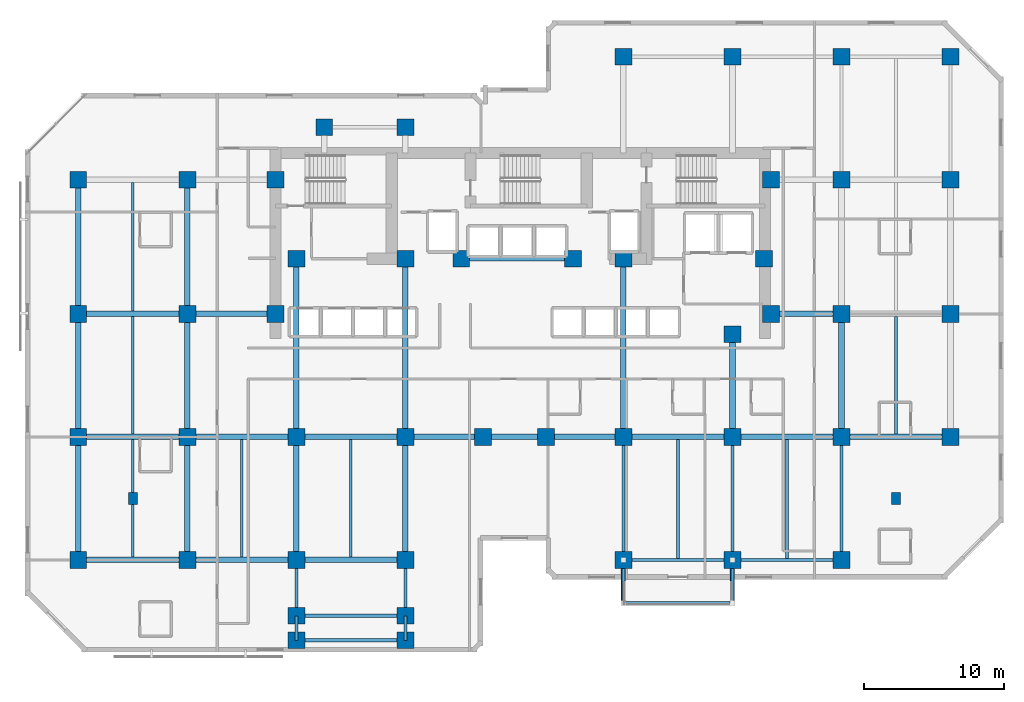
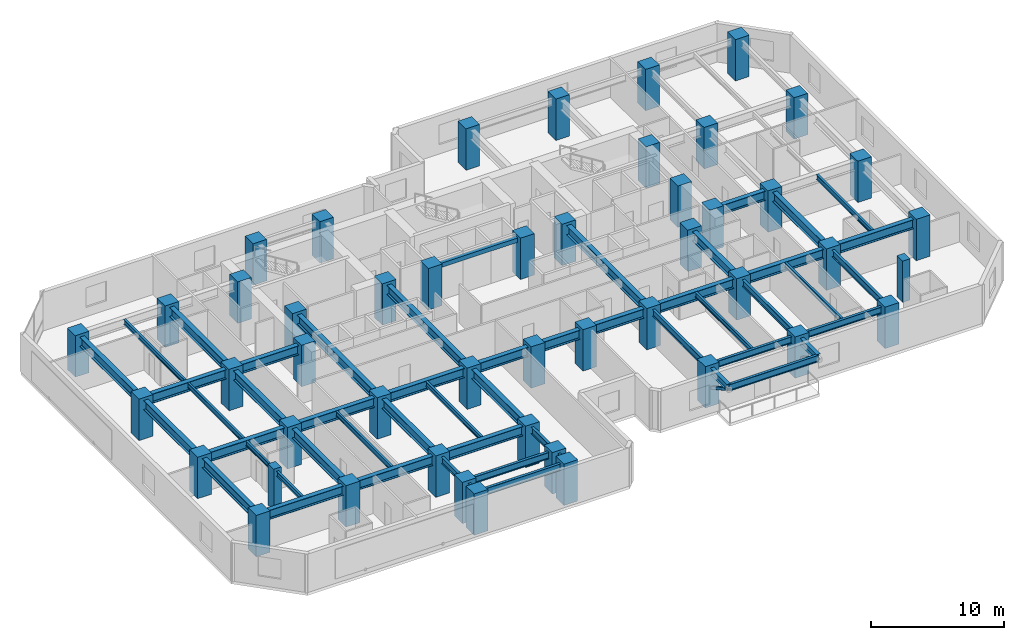
# One storey, part 1 of 12: 51 beams, 48 columns, 2 members.
"""IFC4 building model written with IfcOpenShell, lengths in metres."""

from ifc_helpers import new_model, si_unit, direction, frame, origin, origin_2d, place, context, subcontext, project, spatial, rectangle, hollow_rectangle, i_section, extrude, material, material_profile, profile_set, type_object, element, save


model = new_model("IFC4")

# Units and contexts
model_context = context("Model", 3, precision=1e-05, world=origin(), true_north=direction((0.0, 1.0)))
body_context = subcontext(model_context, "Body", "Model", "MODEL_VIEW")
ifc_project = project(units=[si_unit("LENGTHUNIT", "METRE"), si_unit("AREAUNIT", "SQUARE_METRE"), si_unit("VOLUMEUNIT", "CUBIC_METRE"), si_unit("PLANEANGLEUNIT", "RADIAN"), si_unit("MASSUNIT", "GRAM", prefix="KILO")], contexts=[model_context])

# Site, building, storey
site_placement = place(None, origin())
site = spatial("IfcSite", under=ifc_project, at=site_placement, CompositionType="ELEMENT")
building_placement = place(site_placement, origin())
building = spatial("IfcBuilding", under=site, at=building_placement, Name="Kestravale Grand Hotel", CompositionType="ELEMENT")
storey_placement = place(building_placement, frame((0.0, 0.0, 110.800048828125)))
storey = spatial("IfcBuildingStorey", under=building, at=storey_placement, Name="L27", CompositionType="ELEMENT", Elevation=110.800048828125)

# Columns
ifc_material_1 = material(Name="Precast concrete f'c 45 MPa", Category="concrete")
ifc_material_profile_1 = material_profile(ifc_material_1, rectangle(XDim=0.64990234375, YDim=0.85009765625, at=origin_2d()))
ifc_profile_set_1 = profile_set([ifc_material_profile_1], Name="Precast concrete f'c 45 MPa")
column_type_1 = type_object("IfcColumnType", Name="C-Z1-PIL850", PredefinedType="PILASTER", material=ifc_profile_set_1)
for number, where, z_axis, x_axis, name in (
    (1, (11.699951171875, 15.60009765625, 0.0), (0.0, 0.0, 1.0), (1.0, 0.0, 0.0), "L27 Art Deco fluted pilaster P1"),
    (2, (66.300048828125, 15.60009765625, 0.0), (0.0, 0.0, 1.0), (1.0, 0.0, 0.0), "L27 Art Deco fluted pilaster P2"),
):
    element("IfcColumn", number, at=place(storey_placement, frame(where, z_axis=z_axis, x_axis=x_axis)), inside=storey, type_object=column_type_1, Name=name, PredefinedType="PILASTER", context=body_context, shape_type="SweptSolid", body=[
        extrude(rectangle(XDim=0.64990234375, YDim=0.85009765625, at=origin_2d()), origin(), (0.0, 0.0, 1.0), 3.800048828125),
    ])
ifc_material_2 = material(Name="Concrete f'c 60 MPa", Category="concrete")
ifc_material_profile_2 = material_profile(ifc_material_2, rectangle(XDim=1.199951171875, YDim=1.199951171875, at=origin_2d()))
ifc_profile_set_2 = profile_set([ifc_material_profile_2], Name="Concrete f'c 60 MPa")
column_type_2 = type_object("IfcColumnType", Name="C-Z2-1200", PredefinedType="COLUMN", material=ifc_profile_set_2)
for number, where, z_axis, x_axis, name in (
    (3, (7.800048828125, 11.199951171875, 0.0), (0.0, 0.0, 1.0), (1.0, 0.0, 0.0), "L27 column 2-C"),
    (4, (7.800048828125, 20.0, 0.0), (0.0, 0.0, 1.0), (1.0, 0.0, 0.0), "L27 column 2-D"),
    (5, (7.800048828125, 28.800048828125, 0.0), (0.0, 0.0, 1.0), (1.0, 0.0, 0.0), "L27 column 2-E"),
    (6, (7.800048828125, 38.39990234375, 0.0), (0.0, 0.0, 1.0), (1.0, 0.0, 0.0), "L27 column 2-F"),
    (7, (15.60009765625, 11.199951171875, 0.0), (0.0, 0.0, 1.0), (1.0, 0.0, 0.0), "L27 column 3-C"),
    (8, (15.60009765625, 20.0, 0.0), (0.0, 0.0, 1.0), (1.0, 0.0, 0.0), "L27 column 3-D"),
    (9, (15.60009765625, 28.800048828125, 0.0), (0.0, 0.0, 1.0), (1.0, 0.0, 0.0), "L27 column 3-E"),
    (10, (15.60009765625, 38.39990234375, 0.0), (0.0, 0.0, 1.0), (1.0, 0.0, 0.0), "L27 column 3-F"),
    (11, (23.39990234375, 11.199951171875, 0.0), (0.0, 0.0, 1.0), (1.0, 0.0, 0.0), "L27 column 4-C"),
    (12, (23.39990234375, 20.0, 0.0), (0.0, 0.0, 1.0), (1.0, 0.0, 0.0), "L27 column 4-D"),
    (13, (31.199951171875, 11.199951171875, 0.0), (0.0, 0.0, 1.0), (1.0, 0.0, 0.0), "L27 column 5-C"),
    (14, (31.199951171875, 20.0, 0.0), (0.0, 0.0, 1.0), (1.0, 0.0, 0.0), "L27 column 5-D"),
    (15, (36.75, 20.0, 0.0), (0.0, 0.0, 1.0), (1.0, 0.0, 0.0), "L27 column 6-D"),
    (16, (41.25, 20.0, 0.0), (0.0, 0.0, 1.0), (1.0, 0.0, 0.0), "L27 column 7-D"),
    (17, (46.800048828125, 11.199951171875, 0.0), (0.0, 0.0, 1.0), (1.0, 0.0, 0.0), "L27 column 8-C"),
    (18, (46.800048828125, 20.0, 0.0), (0.0, 0.0, 1.0), (1.0, 0.0, 0.0), "L27 column 8-D"),
    (19, (46.800048828125, 47.199951171875, 0.0), (0.0, 0.0, 1.0), (1.0, 0.0, 0.0), "L27 column 8-G"),
    (20, (54.60009765625, 11.199951171875, 0.0), (0.0, 0.0, 1.0), (1.0, 0.0, 0.0), "L27 column 9-C"),
    (21, (54.60009765625, 20.0, 0.0), (0.0, 0.0, 1.0), (1.0, 0.0, 0.0), "L27 column 9-D"),
    (22, (54.60009765625, 47.199951171875, 0.0), (0.0, 0.0, 1.0), (1.0, 0.0, 0.0), "L27 column 9-G"),
    (23, (62.39990234375, 11.199951171875, 0.0), (0.0, 0.0, 1.0), (1.0, 0.0, 0.0), "L27 column 10-C"),
    (24, (62.39990234375, 20.0, 0.0), (0.0, 0.0, 1.0), (1.0, 0.0, 0.0), "L27 column 10-D"),
    (25, (62.39990234375, 28.800048828125, 0.0), (0.0, 0.0, 1.0), (1.0, 0.0, 0.0), "L27 column 10-E"),
    (26, (62.39990234375, 38.39990234375, 0.0), (0.0, 0.0, 1.0), (1.0, 0.0, 0.0), "L27 column 10-F"),
    (27, (62.39990234375, 47.199951171875, 0.0), (0.0, 0.0, 1.0), (1.0, 0.0, 0.0), "L27 column 10-G"),
    (28, (70.199951171875, 20.0, 0.0), (0.0, 0.0, 1.0), (1.0, 0.0, 0.0), "L27 column 11-D"),
    (29, (70.199951171875, 28.800048828125, 0.0), (0.0, 0.0, 1.0), (1.0, 0.0, 0.0), "L27 column 11-E"),
    (30, (70.199951171875, 38.39990234375, 0.0), (0.0, 0.0, 1.0), (1.0, 0.0, 0.0), "L27 column 11-F"),
    (31, (70.199951171875, 47.199951171875, 0.0), (0.0, 0.0, 1.0), (1.0, 0.0, 0.0), "L27 column 11-G"),
    (32, (21.89990234375, 28.800048828125, 0.0), (0.0, 0.0, 1.0), (1.0, 0.0, 0.0), "L27 column CW-E"),
    (33, (21.89990234375, 38.39990234375, 0.0), (0.0, 0.0, 1.0), (1.0, 0.0, 0.0), "L27 column CW-F"),
    (34, (57.35009765625, 28.800048828125, 0.0), (0.0, 0.0, 1.0), (1.0, 0.0, 0.0), "L27 column CE-E"),
    (35, (57.35009765625, 38.39990234375, 0.0), (0.0, 0.0, 1.0), (1.0, 0.0, 0.0), "L27 column CE-F"),
    (36, (23.39990234375, 32.75, 0.0), (0.0, 0.0, 1.0), (1.0, 0.0, 0.0), "L27 column 4-CS"),
    (37, (31.199951171875, 32.75, 0.0), (0.0, 0.0, 1.0), (1.0, 0.0, 0.0), "L27 column 5-CS"),
    (38, (35.199951171875, 32.75, 0.0), (0.0, 0.0, 1.0), (1.0, 0.0, 0.0), "L27 column 6C-CS"),
    (39, (43.199951171875, 32.75, 0.0), (0.0, 0.0, 1.0), (1.0, 0.0, 0.0), "L27 column 7C-CS"),
    (40, (46.800048828125, 32.75, 0.0), (0.0, 0.0, 1.0), (1.0, 0.0, 0.0), "L27 column 8-CS"),
    (41, (54.60009765625, 27.35009765625, 0.0), (0.0, 0.0, 1.0), (1.0, 0.0, 0.0), "L27 column 9-CS"),
    (42, (56.85009765625, 32.75, 0.0), (0.0, 0.0, 1.0), (1.0, 0.0, 0.0), "L27 column 9C-CS"),
    (43, (23.39990234375, 7.199951171875, 0.0), (0.0, 0.0, 1.0), (1.0, 0.0, 0.0), "L27 column 4-BS"),
    (44, (31.199951171875, 7.199951171875, 0.0), (0.0, 0.0, 1.0), (1.0, 0.0, 0.0), "L27 column 5-BS"),
    (45, (25.39990234375, 42.14990234375, 0.0), (0.0, 0.0, 1.0), (1.0, 0.0, 0.0), "L27 column 4-FN"),
    (46, (31.199951171875, 42.14990234375, 0.0), (0.0, 0.0, 1.0), (1.0, 0.0, 0.0), "L27 column 5-FN"),
    (47, (23.39990234375, 5.449951171875, 0.0), (0.0, 0.0, 1.0), (1.0, 0.0, 0.0), "L27 column 4-B1S"),
    (48, (31.199951171875, 5.449951171875, 0.0), (0.0, 0.0, 1.0), (1.0, 0.0, 0.0), "L27 column 5-B1S"),
):
    element("IfcColumn", number, at=place(storey_placement, frame(where, z_axis=z_axis, x_axis=x_axis)), inside=storey, type_object=column_type_2, Name=name, PredefinedType="COLUMN", context=body_context, shape_type="SweptSolid", body=[
        extrude(rectangle(XDim=1.199951171875, YDim=1.199951171875, at=origin_2d()), origin(), (0.0, 0.0, 1.0), 3.800048828125),
    ])

# Beams
ifc_material_3 = material(Name="Steel ASTM A992 Grade 50", Category="steel")
ifc_material_profile_3 = material_profile(ifc_material_3, i_section(OverallWidth=0.19091796875, OverallDepth=0.45703125, WebThickness=0.009033203125, FlangeThickness=0.014404296875, FilletRadius=0.015380859375, at=origin_2d()))
ifc_profile_set_3 = profile_set([ifc_material_profile_3], Name="Steel ASTM A992 Grade 50")
beam_type_1 = type_object("IfcBeamType", Name="B-FLR-JST18", PredefinedType="JOIST", material=ifc_profile_set_3)
for number, where, z_axis, x_axis, name in (
    (49, (11.699951171875, 11.400390625, 3.3115234375), (0.0, 1.0, 0.0), (-1.0, 0.0, 0.0), "L27 floor joist 2-3/C-D #1"),
    (50, (11.699951171875, 20.200439453125, 3.3115234375), (0.0, 1.0, 0.0), (-1.0, 0.0, 0.0), "L27 floor joist 2-3/D-E #1"),
):
    element("IfcBeam", number, at=place(storey_placement, frame(where, z_axis=z_axis, x_axis=x_axis)), inside=storey, type_object=beam_type_1, Name=name, PredefinedType="JOIST", context=body_context, shape_type="SweptSolid", body=[
        extrude(i_section(OverallWidth=0.19091796875, OverallDepth=0.45703125, WebThickness=0.009033203125, FlangeThickness=0.014404296875, FilletRadius=0.015380859375, at=origin_2d()), origin(), (0.0, 0.0, 1.0), 8.399169921875),
    ])
beam_1_placement = place(storey_placement, frame((11.699951171875, 29.00048828125, 3.3115234375), z_axis=(0.0, 1.0, 0.0), x_axis=(-1.0, 0.0, 0.0)))
element("IfcBeam", 51, at=beam_1_placement, inside=storey, type_object=beam_type_1, Name="L27 floor joist 2-3/E-F #1", PredefinedType="JOIST", context=body_context, shape_type="SweptSolid", body=[
    extrude(i_section(OverallWidth=0.19091796875, OverallDepth=0.45703125, WebThickness=0.009033203125, FlangeThickness=0.014404296875, FilletRadius=0.015380859375, at=origin_2d()), origin(), (0.0, 0.0, 1.0), 9.198974609375),
])
for number, where, z_axis, x_axis, name in (
    (52, (19.5, 11.400390625, 3.3115234375), (0.0, 1.0, 0.0), (-1.0, 0.0, 0.0), "L27 floor joist 3-4/C-D #1"),
    (53, (27.300048828125, 11.400390625, 3.3115234375), (0.0, 1.0, 0.0), (-1.0, 0.0, 0.0), "L27 floor joist 4-5/C-D #1"),
):
    element("IfcBeam", number, at=place(storey_placement, frame(where, z_axis=z_axis, x_axis=x_axis)), inside=storey, type_object=beam_type_1, Name=name, PredefinedType="JOIST", context=body_context, shape_type="SweptSolid", body=[
        extrude(i_section(OverallWidth=0.19091796875, OverallDepth=0.45703125, WebThickness=0.009033203125, FlangeThickness=0.014404296875, FilletRadius=0.015380859375, at=origin_2d()), origin(), (0.0, 0.0, 1.0), 8.399169921875),
    ])
for number, where, z_axis, x_axis, name in (
    (54, (50.699951171875, 11.314453125, 3.3115234375), (0.0, 1.0, 0.0), (-1.0, 0.0, 0.0), "L27 floor joist 8-9/C-D #1"),
    (55, (58.5, 11.314453125, 3.3115234375), (0.0, 1.0, 0.0), (-1.0, 0.0, 0.0), "L27 floor joist 9-10/C-D #1"),
):
    element("IfcBeam", number, at=place(storey_placement, frame(where, z_axis=z_axis, x_axis=x_axis)), inside=storey, type_object=beam_type_1, Name=name, PredefinedType="JOIST", context=body_context, shape_type="SweptSolid", body=[
        extrude(i_section(OverallWidth=0.19091796875, OverallDepth=0.45703125, WebThickness=0.009033203125, FlangeThickness=0.014404296875, FilletRadius=0.015380859375, at=origin_2d()), origin(), (0.0, 0.0, 1.0), 8.485107421875),
    ])
beam_2_placement = place(storey_placement, frame((66.300048828125, 20.200439453125, 3.3115234375), z_axis=(0.0, 1.0, 0.0), x_axis=(-1.0, 0.0, 0.0)))
element("IfcBeam", 56, at=beam_2_placement, inside=storey, type_object=beam_type_1, Name="L27 floor joist 10-11/D-E #1", PredefinedType="JOIST", context=body_context, shape_type="SweptSolid", body=[
    extrude(i_section(OverallWidth=0.19091796875, OverallDepth=0.45703125, WebThickness=0.009033203125, FlangeThickness=0.014404296875, FilletRadius=0.015380859375, at=origin_2d()), origin(), (0.0, 0.0, 1.0), 8.399169921875),
])
ifc_material_4 = material(Name="Concrete f'c 45 MPa", Category="concrete")
ifc_material_profile_4 = material_profile(ifc_material_4, rectangle(XDim=0.300048828125, YDim=0.39990234375, at=origin_2d()))
ifc_profile_set_4 = profile_set([ifc_material_profile_4], Name="Concrete f'c 45 MPa")
beam_type_2 = type_object("IfcBeamType", Name="B-FLR-LNT400", PredefinedType="LINTEL", material=ifc_profile_set_4)
beam_3_placement = place(storey_placement, frame((35.199951171875, 32.75, 3.33984375), z_axis=(1.0, 0.0, 0.0), x_axis=(0.0, 1.0, 0.0)))
element("IfcBeam", 57, at=beam_3_placement, inside=storey, type_object=beam_type_2, Name="L27 core portal header lintel", PredefinedType="LINTEL", context=body_context, shape_type="SweptSolid", body=[
    extrude(rectangle(XDim=0.300048828125, YDim=0.39990234375, at=origin_2d()), origin(), (0.0, 0.0, 1.0), 8.0),
])
ifc_material_5 = material(Name="Steel ASTM A992 Grade 50", Category="steel")
ifc_material_profile_5 = material_profile(ifc_material_5, i_section(OverallWidth=0.324951171875, OverallDepth=0.612060546875, WebThickness=0.0126953125, FlangeThickness=0.01904296875, FilletRadius=0.018798828125, at=origin_2d()))
ifc_profile_set_5 = profile_set([ifc_material_profile_5], Name="Steel ASTM A992 Grade 50")
beam_type_3 = type_object("IfcBeamType", Name="B-FLR-W24A", PredefinedType="SPANDREL", material=ifc_profile_set_5)
for number, where, z_axis, x_axis, name in (
    (58, (46.800048828125, 11.199951171875, 3.223876953125), (0.0, -1.0, 0.0), (1.0, 0.0, 0.0), "L28 terrace cantilever beam 1"),
    (59, (54.60009765625, 11.199951171875, 3.223876953125), (0.0, -1.0, 0.0), (1.0, 0.0, 0.0), "L28 terrace cantilever beam 2"),
):
    element("IfcBeam", number, at=place(storey_placement, frame(where, z_axis=z_axis, x_axis=x_axis)), inside=storey, type_object=beam_type_3, Name=name, PredefinedType="SPANDREL", context=body_context, shape_type="SweptSolid", body=[
        extrude(i_section(OverallWidth=0.324951171875, OverallDepth=0.612060546875, WebThickness=0.0126953125, FlangeThickness=0.01904296875, FilletRadius=0.018798828125, at=origin_2d()), origin(), (0.0, 0.0, 1.0), 3.099853515625),
    ])
ifc_material_6 = material(Name="Steel ASTM A992 Grade 50", Category="steel")
ifc_material_profile_6 = material_profile(ifc_material_6, i_section(OverallWidth=0.22900390625, OverallDepth=0.612060546875, WebThickness=0.011962890625, FlangeThickness=0.01953125, FilletRadius=0.019287109375, at=origin_2d()))
ifc_profile_set_6 = profile_set([ifc_material_profile_6], Name="Steel ASTM A992 Grade 50")
beam_type_4 = type_object("IfcBeamType", Name="B-FLR-W24B", PredefinedType="SPANDREL", material=ifc_profile_set_6)
beam_4_placement = place(storey_placement, frame((46.800048828125, 11.199951171875, 3.23388671875), z_axis=(1.0, 0.0, 0.0), x_axis=(0.0, 1.0, 0.0)))
element("IfcBeam", 60, at=beam_4_placement, inside=storey, type_object=beam_type_4, Name="L27 spandrel C:8-9", PredefinedType="SPANDREL", context=body_context, shape_type="SweptSolid", body=[
    extrude(i_section(OverallWidth=0.22900390625, OverallDepth=0.612060546875, WebThickness=0.011962890625, FlangeThickness=0.01953125, FilletRadius=0.019287109375, at=origin_2d()), origin(), (0.0, 0.0, 1.0), 7.800048828125),
])
beam_5_placement = place(storey_placement, frame((54.60009765625, 11.199951171875, 3.23388671875), z_axis=(1.0, 0.0, 0.0), x_axis=(0.0, 1.0, 0.0)))
element("IfcBeam", 61, at=beam_5_placement, inside=storey, type_object=beam_type_4, Name="L27 spandrel C:9-10", PredefinedType="SPANDREL", context=body_context, shape_type="SweptSolid", body=[
    extrude(i_section(OverallWidth=0.22900390625, OverallDepth=0.612060546875, WebThickness=0.011962890625, FlangeThickness=0.01953125, FilletRadius=0.019287109375, at=origin_2d()), origin(), (0.0, 0.0, 1.0), 7.7998046875),
])
for number, where, z_axis, x_axis, name in (
    (62, (23.39990234375, 5.449951171875, 3.23388671875), (1.0, 0.0, 0.0), (0.0, 1.0, 0.0), "L27 perimeter tie spandrel B1S:4-5"),
    (63, (23.39990234375, 7.199951171875, 3.23388671875), (1.0, 0.0, 0.0), (0.0, 1.0, 0.0), "L27 perimeter tie spandrel BS:4-5"),
):
    element("IfcBeam", number, at=place(storey_placement, frame(where, z_axis=z_axis, x_axis=x_axis)), inside=storey, type_object=beam_type_4, Name=name, PredefinedType="SPANDREL", context=body_context, shape_type="SweptSolid", body=[
        extrude(i_section(OverallWidth=0.22900390625, OverallDepth=0.612060546875, WebThickness=0.011962890625, FlangeThickness=0.01953125, FilletRadius=0.019287109375, at=origin_2d()), origin(), (0.0, 0.0, 1.0), 7.800048828125),
    ])
beam_6_placement = place(storey_placement, frame((23.39990234375, 5.449951171875, 3.23388671875), z_axis=(0.0, 1.0, 0.0), x_axis=(-1.0, 0.0, 0.0)))
element("IfcBeam", 64, at=beam_6_placement, inside=storey, type_object=beam_type_4, Name="L27 spandrel 4:B1S-BS", PredefinedType="SPANDREL", context=body_context, shape_type="SweptSolid", body=[
    extrude(i_section(OverallWidth=0.22900390625, OverallDepth=0.612060546875, WebThickness=0.011962890625, FlangeThickness=0.01953125, FilletRadius=0.019287109375, at=origin_2d()), origin(), (0.0, 0.0, 1.0), 1.75),
])
beam_7_placement = place(storey_placement, frame((23.39990234375, 7.199951171875, 3.23388671875), z_axis=(0.0, 1.0, 0.0), x_axis=(-1.0, 0.0, 0.0)))
element("IfcBeam", 65, at=beam_7_placement, inside=storey, type_object=beam_type_4, Name="L27 spandrel 4:BS-C", PredefinedType="SPANDREL", context=body_context, shape_type="SweptSolid", body=[
    extrude(i_section(OverallWidth=0.22900390625, OverallDepth=0.612060546875, WebThickness=0.011962890625, FlangeThickness=0.01953125, FilletRadius=0.019287109375, at=origin_2d()), origin(), (0.0, 0.0, 1.0), 4.0),
])
beam_8_placement = place(storey_placement, frame((31.199951171875, 5.449951171875, 3.23388671875), z_axis=(0.0, 1.0, 0.0), x_axis=(-1.0, 0.0, 0.0)))
element("IfcBeam", 66, at=beam_8_placement, inside=storey, type_object=beam_type_4, Name="L27 spandrel 5:B1S-BS", PredefinedType="SPANDREL", context=body_context, shape_type="SweptSolid", body=[
    extrude(i_section(OverallWidth=0.22900390625, OverallDepth=0.612060546875, WebThickness=0.011962890625, FlangeThickness=0.01953125, FilletRadius=0.019287109375, at=origin_2d()), origin(), (0.0, 0.0, 1.0), 1.75),
])
beam_9_placement = place(storey_placement, frame((31.199951171875, 7.199951171875, 3.23388671875), z_axis=(0.0, 1.0, 0.0), x_axis=(-1.0, 0.0, 0.0)))
element("IfcBeam", 67, at=beam_9_placement, inside=storey, type_object=beam_type_4, Name="L27 spandrel 5:BS-C", PredefinedType="SPANDREL", context=body_context, shape_type="SweptSolid", body=[
    extrude(i_section(OverallWidth=0.22900390625, OverallDepth=0.612060546875, WebThickness=0.011962890625, FlangeThickness=0.01953125, FilletRadius=0.019287109375, at=origin_2d()), origin(), (0.0, 0.0, 1.0), 4.0),
])
for number, where, z_axis, x_axis, name in (
    (68, (46.800048828125, 11.199951171875, 3.23388671875), (0.0, 1.0, 0.0), (-1.0, 0.0, 0.0), "L27 spandrel 8:C-D"),
    (69, (54.60009765625, 11.199951171875, 3.23388671875), (0.0, 1.0, 0.0), (-1.0, 0.0, 0.0), "L27 spandrel 9:C-D"),
    (70, (62.39990234375, 11.199951171875, 3.23388671875), (0.0, 1.0, 0.0), (-1.0, 0.0, 0.0), "L27 spandrel 10:C-D"),
):
    element("IfcBeam", number, at=place(storey_placement, frame(where, z_axis=z_axis, x_axis=x_axis)), inside=storey, type_object=beam_type_4, Name=name, PredefinedType="SPANDREL", context=body_context, shape_type="SweptSolid", body=[
        extrude(i_section(OverallWidth=0.22900390625, OverallDepth=0.612060546875, WebThickness=0.011962890625, FlangeThickness=0.01953125, FilletRadius=0.019287109375, at=origin_2d()), origin(), (0.0, 0.0, 1.0), 8.800048828125),
    ])
beam_10_placement = place(storey_placement, frame((46.800048828125, 8.10009765625, 3.223876953125), z_axis=(1.0, 0.0, 0.0), x_axis=(0.0, 1.0, 0.0)))
element("IfcBeam", 71, at=beam_10_placement, inside=storey, type_object=beam_type_4, Name="L28 terrace edge spandrel", PredefinedType="SPANDREL", context=body_context, shape_type="SweptSolid", body=[
    extrude(i_section(OverallWidth=0.22900390625, OverallDepth=0.612060546875, WebThickness=0.011962890625, FlangeThickness=0.01953125, FilletRadius=0.019287109375, at=origin_2d()), origin(), (0.0, 0.0, 1.0), 7.800048828125),
])
ifc_material_7 = material(Name="Steel ASTM A992 Grade 50", Category="steel")
ifc_material_profile_7 = material_profile(ifc_material_7, i_section(OverallWidth=0.40087890625, OverallDepth=0.861083984375, WebThickness=0.019775390625, FlangeThickness=0.032470703125, FilletRadius=0.0234375, at=origin_2d()))
ifc_profile_set_7 = profile_set([ifc_material_profile_7], Name="Steel ASTM A992 Grade 50")
beam_type_5 = type_object("IfcBeamType", Name="B-GRD-W33", PredefinedType="BEAM", material=ifc_profile_set_7)
beam_11_placement = place(storey_placement, frame((7.800048828125, 11.199951171875, 3.109375), z_axis=(1.0, 0.0, 0.0), x_axis=(0.0, 1.0, 0.0)))
element("IfcBeam", 72, at=beam_11_placement, inside=storey, type_object=beam_type_5, Name="L27 girder C:2-3", PredefinedType="BEAM", context=body_context, shape_type="SweptSolid", body=[
    extrude(i_section(OverallWidth=0.40087890625, OverallDepth=0.861083984375, WebThickness=0.019775390625, FlangeThickness=0.032470703125, FilletRadius=0.0234375, at=origin_2d()), origin(), (0.0, 0.0, 1.0), 7.800048828125),
])
beam_12_placement = place(storey_placement, frame((15.60009765625, 11.199951171875, 3.109375), z_axis=(1.0, 0.0, 0.0), x_axis=(0.0, 1.0, 0.0)))
element("IfcBeam", 73, at=beam_12_placement, inside=storey, type_object=beam_type_5, Name="L27 girder C:3-4", PredefinedType="BEAM", context=body_context, shape_type="SweptSolid", body=[
    extrude(i_section(OverallWidth=0.40087890625, OverallDepth=0.861083984375, WebThickness=0.019775390625, FlangeThickness=0.032470703125, FilletRadius=0.0234375, at=origin_2d()), origin(), (0.0, 0.0, 1.0), 7.7998046875),
])
for number, where, z_axis, x_axis, name in (
    (74, (23.39990234375, 11.199951171875, 3.109375), (1.0, 0.0, 0.0), (0.0, 1.0, 0.0), "L27 girder C:4-5"),
    (75, (7.800048828125, 20.0, 3.109375), (1.0, 0.0, 0.0), (0.0, 1.0, 0.0), "L27 girder D:2-3"),
):
    element("IfcBeam", number, at=place(storey_placement, frame(where, z_axis=z_axis, x_axis=x_axis)), inside=storey, type_object=beam_type_5, Name=name, PredefinedType="BEAM", context=body_context, shape_type="SweptSolid", body=[
        extrude(i_section(OverallWidth=0.40087890625, OverallDepth=0.861083984375, WebThickness=0.019775390625, FlangeThickness=0.032470703125, FilletRadius=0.0234375, at=origin_2d()), origin(), (0.0, 0.0, 1.0), 7.800048828125),
    ])
beam_13_placement = place(storey_placement, frame((15.60009765625, 20.0, 3.109375), z_axis=(1.0, 0.0, 0.0), x_axis=(0.0, 1.0, 0.0)))
element("IfcBeam", 76, at=beam_13_placement, inside=storey, type_object=beam_type_5, Name="L27 girder D:3-4", PredefinedType="BEAM", context=body_context, shape_type="SweptSolid", body=[
    extrude(i_section(OverallWidth=0.40087890625, OverallDepth=0.861083984375, WebThickness=0.019775390625, FlangeThickness=0.032470703125, FilletRadius=0.0234375, at=origin_2d()), origin(), (0.0, 0.0, 1.0), 7.7998046875),
])
beam_14_placement = place(storey_placement, frame((23.39990234375, 20.0, 3.109375), z_axis=(1.0, 0.0, 0.0), x_axis=(0.0, 1.0, 0.0)))
element("IfcBeam", 77, at=beam_14_placement, inside=storey, type_object=beam_type_5, Name="L27 girder D:4-5", PredefinedType="BEAM", context=body_context, shape_type="SweptSolid", body=[
    extrude(i_section(OverallWidth=0.40087890625, OverallDepth=0.861083984375, WebThickness=0.019775390625, FlangeThickness=0.032470703125, FilletRadius=0.0234375, at=origin_2d()), origin(), (0.0, 0.0, 1.0), 7.800048828125),
])
beam_15_placement = place(storey_placement, frame((31.199951171875, 20.0, 3.109375), z_axis=(1.0, 0.0, 0.0), x_axis=(0.0, 1.0, 0.0)))
element("IfcBeam", 78, at=beam_15_placement, inside=storey, type_object=beam_type_5, Name="L27 girder D:5-6", PredefinedType="BEAM", context=body_context, shape_type="SweptSolid", body=[
    extrude(i_section(OverallWidth=0.40087890625, OverallDepth=0.861083984375, WebThickness=0.019775390625, FlangeThickness=0.032470703125, FilletRadius=0.0234375, at=origin_2d()), origin(), (0.0, 0.0, 1.0), 5.550048828125),
])
beam_16_placement = place(storey_placement, frame((36.75, 20.0, 3.109375), z_axis=(1.0, 0.0, 0.0), x_axis=(0.0, 1.0, 0.0)))
element("IfcBeam", 79, at=beam_16_placement, inside=storey, type_object=beam_type_5, Name="L27 girder D:6-7", PredefinedType="BEAM", context=body_context, shape_type="SweptSolid", body=[
    extrude(i_section(OverallWidth=0.40087890625, OverallDepth=0.861083984375, WebThickness=0.019775390625, FlangeThickness=0.032470703125, FilletRadius=0.0234375, at=origin_2d()), origin(), (0.0, 0.0, 1.0), 4.5),
])
beam_17_placement = place(storey_placement, frame((41.25, 20.0, 3.109375), z_axis=(1.0, 0.0, 0.0), x_axis=(0.0, 1.0, 0.0)))
element("IfcBeam", 80, at=beam_17_placement, inside=storey, type_object=beam_type_5, Name="L27 girder D:7-8", PredefinedType="BEAM", context=body_context, shape_type="SweptSolid", body=[
    extrude(i_section(OverallWidth=0.40087890625, OverallDepth=0.861083984375, WebThickness=0.019775390625, FlangeThickness=0.032470703125, FilletRadius=0.0234375, at=origin_2d()), origin(), (0.0, 0.0, 1.0), 5.550048828125),
])
beam_18_placement = place(storey_placement, frame((46.800048828125, 20.0, 3.109375), z_axis=(1.0, 0.0, 0.0), x_axis=(0.0, 1.0, 0.0)))
element("IfcBeam", 81, at=beam_18_placement, inside=storey, type_object=beam_type_5, Name="L27 girder D:8-9", PredefinedType="BEAM", context=body_context, shape_type="SweptSolid", body=[
    extrude(i_section(OverallWidth=0.40087890625, OverallDepth=0.861083984375, WebThickness=0.019775390625, FlangeThickness=0.032470703125, FilletRadius=0.0234375, at=origin_2d()), origin(), (0.0, 0.0, 1.0), 7.800048828125),
])
beam_19_placement = place(storey_placement, frame((54.60009765625, 20.0, 3.109375), z_axis=(1.0, 0.0, 0.0), x_axis=(0.0, 1.0, 0.0)))
element("IfcBeam", 82, at=beam_19_placement, inside=storey, type_object=beam_type_5, Name="L27 girder D:9-10", PredefinedType="BEAM", context=body_context, shape_type="SweptSolid", body=[
    extrude(i_section(OverallWidth=0.40087890625, OverallDepth=0.861083984375, WebThickness=0.019775390625, FlangeThickness=0.032470703125, FilletRadius=0.0234375, at=origin_2d()), origin(), (0.0, 0.0, 1.0), 7.7998046875),
])
for number, where, z_axis, x_axis, name in (
    (83, (62.39990234375, 20.0, 3.109375), (1.0, 0.0, 0.0), (0.0, 1.0, 0.0), "L27 girder D:10-11"),
    (84, (7.800048828125, 28.800048828125, 3.109375), (1.0, 0.0, 0.0), (0.0, 1.0, 0.0), "L27 girder E:2-3"),
):
    element("IfcBeam", number, at=place(storey_placement, frame(where, z_axis=z_axis, x_axis=x_axis)), inside=storey, type_object=beam_type_5, Name=name, PredefinedType="BEAM", context=body_context, shape_type="SweptSolid", body=[
        extrude(i_section(OverallWidth=0.40087890625, OverallDepth=0.861083984375, WebThickness=0.019775390625, FlangeThickness=0.032470703125, FilletRadius=0.0234375, at=origin_2d()), origin(), (0.0, 0.0, 1.0), 7.800048828125),
    ])
beam_20_placement = place(storey_placement, frame((15.60009765625, 28.800048828125, 3.109375), z_axis=(1.0, 0.0, 0.0), x_axis=(0.0, 1.0, 0.0)))
element("IfcBeam", 85, at=beam_20_placement, inside=storey, type_object=beam_type_5, Name="L27 girder E:3-CW", PredefinedType="BEAM", context=body_context, shape_type="SweptSolid", body=[
    extrude(i_section(OverallWidth=0.40087890625, OverallDepth=0.861083984375, WebThickness=0.019775390625, FlangeThickness=0.032470703125, FilletRadius=0.0234375, at=origin_2d()), origin(), (0.0, 0.0, 1.0), 6.2998046875),
])
beam_21_placement = place(storey_placement, frame((57.35009765625, 28.800048828125, 3.109375), z_axis=(1.0, 0.0, 0.0), x_axis=(0.0, 1.0, 0.0)))
element("IfcBeam", 86, at=beam_21_placement, inside=storey, type_object=beam_type_5, Name="L27 girder E:CE-10", PredefinedType="BEAM", context=body_context, shape_type="SweptSolid", body=[
    extrude(i_section(OverallWidth=0.40087890625, OverallDepth=0.861083984375, WebThickness=0.019775390625, FlangeThickness=0.032470703125, FilletRadius=0.0234375, at=origin_2d()), origin(), (0.0, 0.0, 1.0), 5.0498046875),
])
for number, where, z_axis, x_axis, name in (
    (87, (7.800048828125, 11.199951171875, 3.109375), (0.0, 1.0, 0.0), (-1.0, 0.0, 0.0), "L27 girder 2:C-D"),
    (88, (7.800048828125, 20.0, 3.109375), (0.0, 1.0, 0.0), (-1.0, 0.0, 0.0), "L27 girder 2:D-E"),
):
    element("IfcBeam", number, at=place(storey_placement, frame(where, z_axis=z_axis, x_axis=x_axis)), inside=storey, type_object=beam_type_5, Name=name, PredefinedType="BEAM", context=body_context, shape_type="SweptSolid", body=[
        extrude(i_section(OverallWidth=0.40087890625, OverallDepth=0.861083984375, WebThickness=0.019775390625, FlangeThickness=0.032470703125, FilletRadius=0.0234375, at=origin_2d()), origin(), (0.0, 0.0, 1.0), 8.800048828125),
    ])
beam_22_placement = place(storey_placement, frame((7.800048828125, 28.800048828125, 3.109375), z_axis=(0.0, 1.0, 0.0), x_axis=(-1.0, 0.0, 0.0)))
element("IfcBeam", 89, at=beam_22_placement, inside=storey, type_object=beam_type_5, Name="L27 girder 2:E-F", PredefinedType="BEAM", context=body_context, shape_type="SweptSolid", body=[
    extrude(i_section(OverallWidth=0.40087890625, OverallDepth=0.861083984375, WebThickness=0.019775390625, FlangeThickness=0.032470703125, FilletRadius=0.0234375, at=origin_2d()), origin(), (0.0, 0.0, 1.0), 9.599853515625),
])
for number, where, z_axis, x_axis, name in (
    (90, (15.60009765625, 11.199951171875, 3.109375), (0.0, 1.0, 0.0), (-1.0, 0.0, 0.0), "L27 girder 3:C-D"),
    (91, (15.60009765625, 20.0, 3.109375), (0.0, 1.0, 0.0), (-1.0, 0.0, 0.0), "L27 girder 3:D-E"),
):
    element("IfcBeam", number, at=place(storey_placement, frame(where, z_axis=z_axis, x_axis=x_axis)), inside=storey, type_object=beam_type_5, Name=name, PredefinedType="BEAM", context=body_context, shape_type="SweptSolid", body=[
        extrude(i_section(OverallWidth=0.40087890625, OverallDepth=0.861083984375, WebThickness=0.019775390625, FlangeThickness=0.032470703125, FilletRadius=0.0234375, at=origin_2d()), origin(), (0.0, 0.0, 1.0), 8.800048828125),
    ])
beam_23_placement = place(storey_placement, frame((15.60009765625, 28.800048828125, 3.109375), z_axis=(0.0, 1.0, 0.0), x_axis=(-1.0, 0.0, 0.0)))
element("IfcBeam", 92, at=beam_23_placement, inside=storey, type_object=beam_type_5, Name="L27 girder 3:E-F", PredefinedType="BEAM", context=body_context, shape_type="SweptSolid", body=[
    extrude(i_section(OverallWidth=0.40087890625, OverallDepth=0.861083984375, WebThickness=0.019775390625, FlangeThickness=0.032470703125, FilletRadius=0.0234375, at=origin_2d()), origin(), (0.0, 0.0, 1.0), 9.599853515625),
])
beam_24_placement = place(storey_placement, frame((23.39990234375, 11.199951171875, 3.109375), z_axis=(0.0, 1.0, 0.0), x_axis=(-1.0, 0.0, 0.0)))
element("IfcBeam", 93, at=beam_24_placement, inside=storey, type_object=beam_type_5, Name="L27 girder 4:C-D", PredefinedType="BEAM", context=body_context, shape_type="SweptSolid", body=[
    extrude(i_section(OverallWidth=0.40087890625, OverallDepth=0.861083984375, WebThickness=0.019775390625, FlangeThickness=0.032470703125, FilletRadius=0.0234375, at=origin_2d()), origin(), (0.0, 0.0, 1.0), 8.800048828125),
])
beam_25_placement = place(storey_placement, frame((23.39990234375, 20.0, 3.109375), z_axis=(0.0, 1.0, 0.0), x_axis=(-1.0, 0.0, 0.0)))
element("IfcBeam", 94, at=beam_25_placement, inside=storey, type_object=beam_type_5, Name="L27 girder 4:D-CS", PredefinedType="BEAM", context=body_context, shape_type="SweptSolid", body=[
    extrude(i_section(OverallWidth=0.40087890625, OverallDepth=0.861083984375, WebThickness=0.019775390625, FlangeThickness=0.032470703125, FilletRadius=0.0234375, at=origin_2d()), origin(), (0.0, 0.0, 1.0), 12.75),
])
beam_26_placement = place(storey_placement, frame((31.199951171875, 11.199951171875, 3.109375), z_axis=(0.0, 1.0, 0.0), x_axis=(-1.0, 0.0, 0.0)))
element("IfcBeam", 95, at=beam_26_placement, inside=storey, type_object=beam_type_5, Name="L27 girder 5:C-D", PredefinedType="BEAM", context=body_context, shape_type="SweptSolid", body=[
    extrude(i_section(OverallWidth=0.40087890625, OverallDepth=0.861083984375, WebThickness=0.019775390625, FlangeThickness=0.032470703125, FilletRadius=0.0234375, at=origin_2d()), origin(), (0.0, 0.0, 1.0), 8.800048828125),
])
for number, where, z_axis, x_axis, name in (
    (96, (31.199951171875, 20.0, 3.109375), (0.0, 1.0, 0.0), (-1.0, 0.0, 0.0), "L27 girder 5:D-CS"),
    (97, (46.800048828125, 20.0, 3.109375), (0.0, 1.0, 0.0), (-1.0, 0.0, 0.0), "L27 girder 8:D-CS"),
):
    element("IfcBeam", number, at=place(storey_placement, frame(where, z_axis=z_axis, x_axis=x_axis)), inside=storey, type_object=beam_type_5, Name=name, PredefinedType="BEAM", context=body_context, shape_type="SweptSolid", body=[
        extrude(i_section(OverallWidth=0.40087890625, OverallDepth=0.861083984375, WebThickness=0.019775390625, FlangeThickness=0.032470703125, FilletRadius=0.0234375, at=origin_2d()), origin(), (0.0, 0.0, 1.0), 12.75),
    ])
beam_27_placement = place(storey_placement, frame((54.60009765625, 20.0, 3.109375), z_axis=(0.0, 1.0, 0.0), x_axis=(-1.0, 0.0, 0.0)))
element("IfcBeam", 98, at=beam_27_placement, inside=storey, type_object=beam_type_5, Name="L27 girder 9:D-CS", PredefinedType="BEAM", context=body_context, shape_type="SweptSolid", body=[
    extrude(i_section(OverallWidth=0.40087890625, OverallDepth=0.861083984375, WebThickness=0.019775390625, FlangeThickness=0.032470703125, FilletRadius=0.0234375, at=origin_2d()), origin(), (0.0, 0.0, 1.0), 7.35009765625),
])
beam_28_placement = place(storey_placement, frame((62.39990234375, 20.0, 3.109375), z_axis=(0.0, 1.0, 0.0), x_axis=(-1.0, 0.0, 0.0)))
element("IfcBeam", 99, at=beam_28_placement, inside=storey, type_object=beam_type_5, Name="L27 girder 10:D-E", PredefinedType="BEAM", context=body_context, shape_type="SweptSolid", body=[
    extrude(i_section(OverallWidth=0.40087890625, OverallDepth=0.861083984375, WebThickness=0.019775390625, FlangeThickness=0.032470703125, FilletRadius=0.0234375, at=origin_2d()), origin(), (0.0, 0.0, 1.0), 8.800048828125),
])

# Members
ifc_material_8 = material(Name="Steel ASTM A500 Grade C", Category="steel")
ifc_material_profile_8 = material_profile(ifc_material_8, hollow_rectangle(XDim=0.25, YDim=0.25, WallThickness=0.011962890625, InnerFilletRadius=0.011962890625, OuterFilletRadius=0.02392578125, at=origin_2d()))
ifc_profile_set_8 = profile_set([ifc_material_profile_8], Name="Steel ASTM A500 Grade C")
member_type = type_object("IfcMemberType", Name="M-BLT-STR250", PredefinedType="STRUT", material=ifc_profile_set_8)
for number, where, z_axis, x_axis, name in (
    (100, (46.800048828125, 11.199951171875, 1.3740234375), (0.0, -0.876808651978, 0.480839461583), (1.0, 0.0, 0.0), "L28 terrace knee-brace strut 1"),
    (101, (54.60009765625, 11.199951171875, 1.3740234375), (0.0, -0.876808651978, 0.480839461583), (1.0, 0.0, 0.0), "L28 terrace knee-brace strut 2"),
):
    element("IfcMember", number, at=place(storey_placement, frame(where, z_axis=z_axis, x_axis=x_axis)), inside=storey, type_object=member_type, Name=name, PredefinedType="STRUT", context=body_context, shape_type="SweptSolid", body=[
        extrude(hollow_rectangle(XDim=0.25, YDim=0.25, WallThickness=0.011962890625, InnerFilletRadius=0.011962890625, OuterFilletRadius=0.02392578125, at=origin_2d()), origin(), (0.0, 0.0, 1.0), 3.535400390625),
    ])

save(model, "model.ifc")
